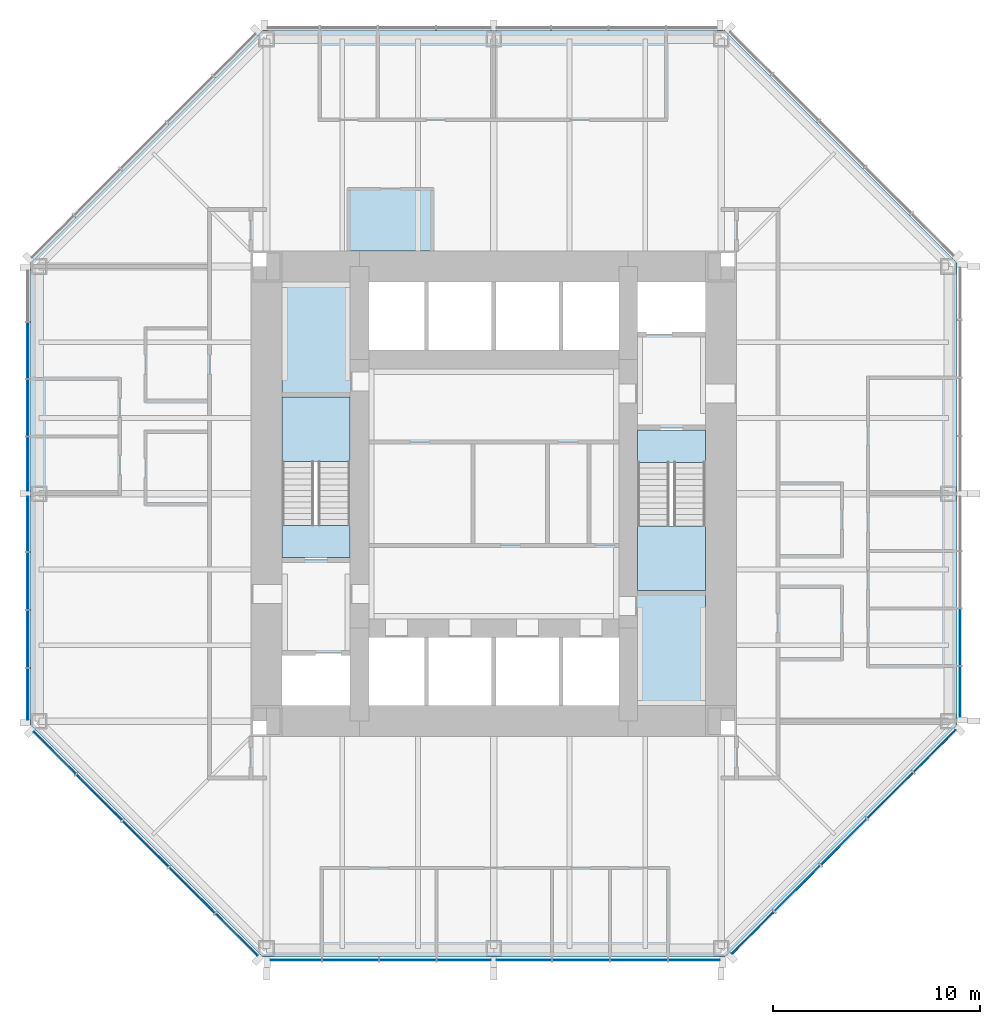
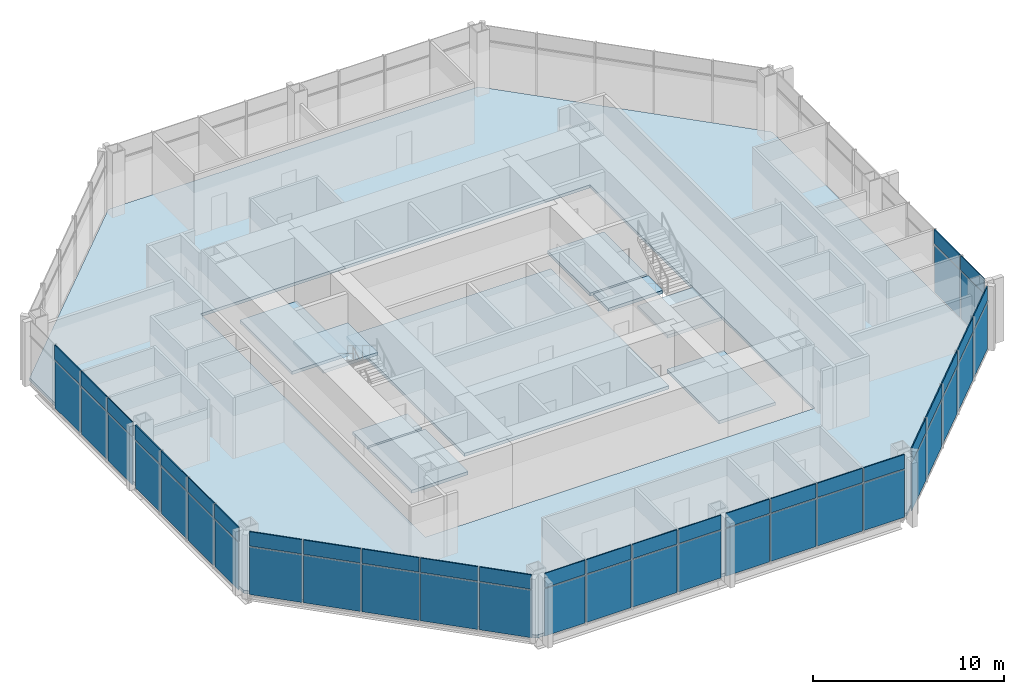
# One storey, part 7 of 12: 54 plates, 10 slabs, 7 elements without a shape of their own.
"""IFC4 building model written with IfcOpenShell, lengths in metres."""

from ifc_helpers import new_model, si_unit, direction, frame, origin, origin_2d, place, context, subcontext, project, spatial, polyline, rectangle, outline, extrude, material, layer, layer_set, type_object, element, aggregate, save


model = new_model("IFC4")

# Units and contexts
model_context = context("Model", 3, precision=1e-05, world=origin(), true_north=direction((0.0, 1.0)))
body_context = subcontext(model_context, "Body", "Model", "MODEL_VIEW")
ifc_project = project(units=[si_unit("LENGTHUNIT", "METRE"), si_unit("AREAUNIT", "SQUARE_METRE"), si_unit("VOLUMEUNIT", "CUBIC_METRE"), si_unit("PLANEANGLEUNIT", "RADIAN"), si_unit("MASSUNIT", "GRAM", prefix="KILO")], contexts=[model_context])

# Site, building, storey
site_placement = place(None, origin())
site = spatial("IfcSite", under=ifc_project, at=site_placement, CompositionType="ELEMENT")
building_placement = place(site_placement, origin())
building = spatial("IfcBuilding", under=site, at=building_placement, Name="Trevanion Tower", CompositionType="ELEMENT")
storey_placement = place(building_placement, frame((0.0, 0.0, 141.800048828125)))
storey = spatial("IfcBuildingStorey", under=building, at=storey_placement, Name="L33", CompositionType="ELEMENT", Elevation=141.800048828125)

# Curtain wall, plates
ifc_material_1 = material(Name="Aluminium and glass", Category="aluminium")
curtain_wall_type = type_object("IfcCurtainWallType", Name="CW2 curtain wall", PredefinedType="USERDEFINED", material=ifc_material_1)
curtain_wall_1_placement = place(storey_placement, origin())
curtain_wall_1 = element("IfcCurtainWall", 1, at=curtain_wall_1_placement, inside=storey, type_object=curtain_wall_type, Name="CW2 L33 0", ObjectType="UNITISED CURTAIN WALL", PredefinedType="USERDEFINED")
ifc_material_2 = material(Name="Aluminium spandrel panel", Category="aluminium")
ifc_layer_1 = layer(ifc_material_2, 0.06005859375)
ifc_layer_set_1 = layer_set([ifc_layer_1], Name="CW2 spandrel panel")
plate_type_1 = type_object("IfcPlateType", Name="CW2 spandrel panel", PredefinedType="CURTAIN_PANEL", material=ifc_layer_set_1)
plate_1_placement = place(storey_placement, frame((22.550048828125, -9.579345703125, 2.99755859375), z_axis=(0.0, 0.0, 1.0), x_axis=(0.0, 1.0, 0.0)))
plate_1 = element("IfcPlate", 2, at=plate_1_placement, type_object=plate_type_1, Name="CW2 panel 1.2", PredefinedType="CURTAIN_PANEL", context=body_context, shape_type="SweptSolid", body=[
    extrude(rectangle(XDim=2.43701171875, YDim=0.06005859375, at=origin_2d()), origin(), (0.0, 0.0, 1.0), 0.91259765625),
])
plate_2_placement = place(storey_placement, frame((22.550048828125, -6.93603515625, 2.99755859375), z_axis=(0.0, 0.0, 1.0), x_axis=(0.0, 1.0, 0.0)))
plate_2 = element("IfcPlate", 3, at=plate_2_placement, type_object=plate_type_1, Name="CW2 panel 2.2", PredefinedType="CURTAIN_PANEL", context=body_context, shape_type="SweptSolid", body=[
    extrude(rectangle(XDim=2.699462890625, YDim=0.06005859375, at=origin_2d()), origin(), (0.0, 0.0, 1.0), 0.91259765625),
])

curtain_wall_2_placement = place(storey_placement, origin())
curtain_wall_2 = element("IfcCurtainWall", 4, at=curtain_wall_2_placement, inside=storey, type_object=curtain_wall_type, Name="CW2 L33 4", ObjectType="UNITISED CURTAIN WALL", PredefinedType="USERDEFINED")
plate_3_placement = place(storey_placement, frame((-22.550048828125, 6.93603515625, 2.99755859375), z_axis=(0.0, 0.0, 1.0), x_axis=(0.0, -1.0, 0.0)))
plate_3 = element("IfcPlate", 5, at=plate_3_placement, type_object=plate_type_1, Name="CW2 panel 2.2", PredefinedType="CURTAIN_PANEL", context=body_context, shape_type="SweptSolid", body=[
    extrude(rectangle(XDim=2.699462890625, YDim=0.06005859375, at=origin_2d()), origin(), (0.0, 0.0, 1.0), 0.91259765625),
])
plate_4_placement = place(storey_placement, frame((-22.550048828125, 4.16162109375, 2.99755859375), z_axis=(0.0, 0.0, 1.0), x_axis=(0.0, -1.0, 0.0)))
plate_4 = element("IfcPlate", 6, at=plate_4_placement, type_object=plate_type_1, Name="CW2 panel 3.2", PredefinedType="CURTAIN_PANEL", context=body_context, shape_type="SweptSolid", body=[
    extrude(rectangle(XDim=2.699462890625, YDim=0.06005859375, at=origin_2d()), origin(), (0.0, 0.0, 1.0), 0.91259765625),
])
plate_5_placement = place(storey_placement, frame((-22.550048828125, 1.443603515625, 2.99755859375), z_axis=(0.0, 0.0, 1.0), x_axis=(0.0, -1.0, 0.0)))
plate_5 = element("IfcPlate", 7, at=plate_5_placement, type_object=plate_type_1, Name="CW2 panel 4.2", PredefinedType="CURTAIN_PANEL", context=body_context, shape_type="SweptSolid", body=[
    extrude(rectangle(XDim=2.5869140625, YDim=0.06005859375, at=origin_2d()), origin(), (0.0, 0.0, 1.0), 0.91259765625),
])
plate_6_placement = place(storey_placement, frame((-22.550048828125, -1.459716796875, 2.99755859375), z_axis=(0.0, 0.0, 1.0), x_axis=(0.0, -1.0, 0.0)))
plate_6 = element("IfcPlate", 8, at=plate_6_placement, type_object=plate_type_1, Name="CW2 panel 5.2", PredefinedType="CURTAIN_PANEL", context=body_context, shape_type="SweptSolid", body=[
    extrude(rectangle(XDim=2.619384765625, YDim=0.06005859375, at=origin_2d()), origin(), (0.0, 0.0, 1.0), 0.91259765625),
])
plate_7_placement = place(storey_placement, frame((-22.550048828125, -4.21044921875, 2.99755859375), z_axis=(0.0, 0.0, 1.0), x_axis=(0.0, -1.0, 0.0)))
plate_7 = element("IfcPlate", 9, at=plate_7_placement, type_object=plate_type_1, Name="CW2 panel 6.2", PredefinedType="CURTAIN_PANEL", context=body_context, shape_type="SweptSolid", body=[
    extrude(rectangle(XDim=2.73193359375, YDim=0.06005859375, at=origin_2d()), origin(), (0.0, 0.0, 1.0), 0.91259765625),
])
plate_8_placement = place(storey_placement, frame((-22.550048828125, -7.017333984375, 2.99755859375), z_axis=(0.0, 0.0, 1.0), x_axis=(0.0, -1.0, 0.0)))
plate_8 = element("IfcPlate", 10, at=plate_8_placement, type_object=plate_type_1, Name="CW2 panel 7.2", PredefinedType="CURTAIN_PANEL", context=body_context, shape_type="SweptSolid", body=[
    extrude(rectangle(XDim=2.73193359375, YDim=0.06005859375, at=origin_2d()), origin(), (0.0, 0.0, 1.0), 0.91259765625),
])
plate_9_placement = place(storey_placement, frame((-22.550048828125, -9.693115234375, 2.99755859375), z_axis=(0.0, 0.0, 1.0), x_axis=(0.0, -1.0, 0.0)))
plate_9 = element("IfcPlate", 11, at=plate_9_placement, type_object=plate_type_1, Name="CW2 panel 8.2", PredefinedType="CURTAIN_PANEL", context=body_context, shape_type="SweptSolid", body=[
    extrude(rectangle(XDim=2.469482421875, YDim=0.06005859375, at=origin_2d()), origin(), (0.0, 0.0, 1.0), 0.91259765625),
])

curtain_wall_3_placement = place(storey_placement, origin())
curtain_wall_3 = element("IfcCurtainWall", 12, at=curtain_wall_3_placement, inside=storey, type_object=curtain_wall_type, Name="CW2 L33 5", ObjectType="UNITISED CURTAIN WALL", PredefinedType="USERDEFINED")
plate_10_placement = place(storey_placement, frame((-21.2421875, -12.53564453125, 2.99755859375), z_axis=(0.0, 0.0, 1.0), x_axis=(0.707106781187, -0.707106781187, 0.0)))
plate_10 = element("IfcPlate", 13, at=plate_10_placement, type_object=plate_type_1, Name="CW2 panel 1.2", PredefinedType="CURTAIN_PANEL", context=body_context, shape_type="SweptSolid", body=[
    extrude(rectangle(XDim=2.8388671875, YDim=0.06005859375, at=origin_2d()), origin(), (0.0, 0.0, 1.0), 0.91259765625),
])
plate_11_placement = place(storey_placement, frame((-19.089111328125, -14.688720703125, 2.99755859375), z_axis=(0.0, 0.0, 1.0), x_axis=(0.707106781187, -0.707106781187, 0.0)))
plate_11 = element("IfcPlate", 14, at=plate_11_placement, type_object=plate_type_1, Name="CW2 panel 2.2", PredefinedType="CURTAIN_PANEL", context=body_context, shape_type="SweptSolid", body=[
    extrude(rectangle(XDim=3.101318359375, YDim=0.06005859375, at=origin_2d()), origin(), (0.0, 0.0, 1.0), 0.91259765625),
])
plate_12_placement = place(storey_placement, frame((-16.843017578125, -16.934814453125, 2.99755859375), z_axis=(0.0, 0.0, 1.0), x_axis=(0.707106781187, -0.707106781187, 0.0)))
plate_12 = element("IfcPlate", 15, at=plate_12_placement, type_object=plate_type_1, Name="CW2 panel 3.2", PredefinedType="CURTAIN_PANEL", context=body_context, shape_type="SweptSolid", body=[
    extrude(rectangle(XDim=3.101318359375, YDim=0.06005859375, at=origin_2d()), origin(), (0.0, 0.0, 1.0), 0.91259765625),
])
plate_13_placement = place(storey_placement, frame((-14.596923828125, -19.180908203125, 2.99755859375), z_axis=(0.0, 0.0, 1.0), x_axis=(0.707106781187, -0.707106781187, 0.0)))
plate_13 = element("IfcPlate", 16, at=plate_13_placement, type_object=plate_type_1, Name="CW2 panel 4.2", PredefinedType="CURTAIN_PANEL", context=body_context, shape_type="SweptSolid", body=[
    extrude(rectangle(XDim=3.101318359375, YDim=0.06005859375, at=origin_2d()), origin(), (0.0, 0.0, 1.0), 0.91259765625),
])
plate_14_placement = place(storey_placement, frame((-12.443603515625, -21.334228515625, 2.99755859375), z_axis=(0.0, 0.0, 1.0), x_axis=(0.707106781187, -0.707106781187, 0.0)))
plate_14 = element("IfcPlate", 17, at=plate_14_placement, type_object=plate_type_1, Name="CW2 panel 5.2", PredefinedType="CURTAIN_PANEL", context=body_context, shape_type="SweptSolid", body=[
    extrude(rectangle(XDim=2.8388671875, YDim=0.06005859375, at=origin_2d()), origin(), (0.0, 0.0, 1.0), 0.91259765625),
])

curtain_wall_4_placement = place(storey_placement, origin())
curtain_wall_4 = element("IfcCurtainWall", 18, at=curtain_wall_4_placement, inside=storey, type_object=curtain_wall_type, Name="CW2 L33 6", ObjectType="UNITISED CURTAIN WALL", PredefinedType="USERDEFINED")
plate_15_placement = place(storey_placement, frame((-9.579345703125, -22.550048828125, 2.99755859375), z_axis=(0.0, 0.0, 1.0), x_axis=(1.0, 0.0, 0.0)))
plate_15 = element("IfcPlate", 19, at=plate_15_placement, type_object=plate_type_1, Name="CW2 panel 1.2", PredefinedType="CURTAIN_PANEL", context=body_context, shape_type="SweptSolid", body=[
    extrude(rectangle(XDim=2.43701171875, YDim=0.06005859375, at=origin_2d()), origin(), (0.0, 0.0, 1.0), 0.91259765625),
])
plate_16_placement = place(storey_placement, frame((-6.93603515625, -22.550048828125, 2.99755859375), z_axis=(0.0, 0.0, 1.0), x_axis=(1.0, 0.0, 0.0)))
plate_16 = element("IfcPlate", 20, at=plate_16_placement, type_object=plate_type_1, Name="CW2 panel 2.2", PredefinedType="CURTAIN_PANEL", context=body_context, shape_type="SweptSolid", body=[
    extrude(rectangle(XDim=2.699462890625, YDim=0.06005859375, at=origin_2d()), origin(), (0.0, 0.0, 1.0), 0.91259765625),
])
plate_17_placement = place(storey_placement, frame((-4.16162109375, -22.550048828125, 2.99755859375), z_axis=(0.0, 0.0, 1.0), x_axis=(1.0, 0.0, 0.0)))
plate_17 = element("IfcPlate", 21, at=plate_17_placement, type_object=plate_type_1, Name="CW2 panel 3.2", PredefinedType="CURTAIN_PANEL", context=body_context, shape_type="SweptSolid", body=[
    extrude(rectangle(XDim=2.699462890625, YDim=0.06005859375, at=origin_2d()), origin(), (0.0, 0.0, 1.0), 0.91259765625),
])
plate_18_placement = place(storey_placement, frame((-1.443603515625, -22.550048828125, 2.99755859375), z_axis=(0.0, 0.0, 1.0), x_axis=(1.0, 0.0, 0.0)))
plate_18 = element("IfcPlate", 22, at=plate_18_placement, type_object=plate_type_1, Name="CW2 panel 4.2", PredefinedType="CURTAIN_PANEL", context=body_context, shape_type="SweptSolid", body=[
    extrude(rectangle(XDim=2.5869140625, YDim=0.06005859375, at=origin_2d()), origin(), (0.0, 0.0, 1.0), 0.91259765625),
])
plate_19_placement = place(storey_placement, frame((1.459716796875, -22.550048828125, 2.99755859375), z_axis=(0.0, 0.0, 1.0), x_axis=(1.0, 0.0, 0.0)))
plate_19 = element("IfcPlate", 23, at=plate_19_placement, type_object=plate_type_1, Name="CW2 panel 5.2", PredefinedType="CURTAIN_PANEL", context=body_context, shape_type="SweptSolid", body=[
    extrude(rectangle(XDim=2.619384765625, YDim=0.06005859375, at=origin_2d()), origin(), (0.0, 0.0, 1.0), 0.91259765625),
])
plate_20_placement = place(storey_placement, frame((4.21044921875, -22.550048828125, 2.99755859375), z_axis=(0.0, 0.0, 1.0), x_axis=(1.0, 0.0, 0.0)))
plate_20 = element("IfcPlate", 24, at=plate_20_placement, type_object=plate_type_1, Name="CW2 panel 6.2", PredefinedType="CURTAIN_PANEL", context=body_context, shape_type="SweptSolid", body=[
    extrude(rectangle(XDim=2.73193359375, YDim=0.06005859375, at=origin_2d()), origin(), (0.0, 0.0, 1.0), 0.91259765625),
])
plate_21_placement = place(storey_placement, frame((7.017333984375, -22.550048828125, 2.99755859375), z_axis=(0.0, 0.0, 1.0), x_axis=(1.0, 0.0, 0.0)))
plate_21 = element("IfcPlate", 25, at=plate_21_placement, type_object=plate_type_1, Name="CW2 panel 7.2", PredefinedType="CURTAIN_PANEL", context=body_context, shape_type="SweptSolid", body=[
    extrude(rectangle(XDim=2.73193359375, YDim=0.06005859375, at=origin_2d()), origin(), (0.0, 0.0, 1.0), 0.91259765625),
])
plate_22_placement = place(storey_placement, frame((9.693115234375, -22.550048828125, 2.99755859375), z_axis=(0.0, 0.0, 1.0), x_axis=(1.0, 0.0, 0.0)))
plate_22 = element("IfcPlate", 26, at=plate_22_placement, type_object=plate_type_1, Name="CW2 panel 8.2", PredefinedType="CURTAIN_PANEL", context=body_context, shape_type="SweptSolid", body=[
    extrude(rectangle(XDim=2.469482421875, YDim=0.06005859375, at=origin_2d()), origin(), (0.0, 0.0, 1.0), 0.91259765625),
])

curtain_wall_5_placement = place(storey_placement, origin())
curtain_wall_5 = element("IfcCurtainWall", 27, at=curtain_wall_5_placement, inside=storey, type_object=curtain_wall_type, Name="CW2 L33 7", ObjectType="UNITISED CURTAIN WALL", PredefinedType="USERDEFINED")
plate_23_placement = place(storey_placement, frame((12.53564453125, -21.2421875, 2.99755859375), z_axis=(0.0, 0.0, 1.0), x_axis=(0.707106781187, 0.707106781187, 0.0)))
plate_23 = element("IfcPlate", 28, at=plate_23_placement, type_object=plate_type_1, Name="CW2 panel 1.2", PredefinedType="CURTAIN_PANEL", context=body_context, shape_type="SweptSolid", body=[
    extrude(rectangle(XDim=2.8388671875, YDim=0.06005859375, at=origin_2d()), origin(), (0.0, 0.0, 1.0), 0.91259765625),
])
plate_24_placement = place(storey_placement, frame((14.688720703125, -19.089111328125, 2.99755859375), z_axis=(0.0, 0.0, 1.0), x_axis=(0.707106781187, 0.707106781187, 0.0)))
plate_24 = element("IfcPlate", 29, at=plate_24_placement, type_object=plate_type_1, Name="CW2 panel 2.2", PredefinedType="CURTAIN_PANEL", context=body_context, shape_type="SweptSolid", body=[
    extrude(rectangle(XDim=3.101318359375, YDim=0.06005859375, at=origin_2d()), origin(), (0.0, 0.0, 1.0), 0.91259765625),
])
plate_25_placement = place(storey_placement, frame((16.934814453125, -16.843017578125, 2.99755859375), z_axis=(0.0, 0.0, 1.0), x_axis=(0.707106781187, 0.707106781187, 0.0)))
plate_25 = element("IfcPlate", 30, at=plate_25_placement, type_object=plate_type_1, Name="CW2 panel 3.2", PredefinedType="CURTAIN_PANEL", context=body_context, shape_type="SweptSolid", body=[
    extrude(rectangle(XDim=3.101318359375, YDim=0.06005859375, at=origin_2d()), origin(), (0.0, 0.0, 1.0), 0.91259765625),
])
plate_26_placement = place(storey_placement, frame((19.180908203125, -14.596923828125, 2.99755859375), z_axis=(0.0, 0.0, 1.0), x_axis=(0.707106781187, 0.707106781187, 0.0)))
plate_26 = element("IfcPlate", 31, at=plate_26_placement, type_object=plate_type_1, Name="CW2 panel 4.2", PredefinedType="CURTAIN_PANEL", context=body_context, shape_type="SweptSolid", body=[
    extrude(rectangle(XDim=3.101318359375, YDim=0.06005859375, at=origin_2d()), origin(), (0.0, 0.0, 1.0), 0.91259765625),
])
plate_27_placement = place(storey_placement, frame((21.334228515625, -12.443603515625, 2.99755859375), z_axis=(0.0, 0.0, 1.0), x_axis=(0.707106781187, 0.707106781187, 0.0)))
plate_27 = element("IfcPlate", 32, at=plate_27_placement, type_object=plate_type_1, Name="CW2 panel 5.2", PredefinedType="CURTAIN_PANEL", context=body_context, shape_type="SweptSolid", body=[
    extrude(rectangle(XDim=2.8388671875, YDim=0.06005859375, at=origin_2d()), origin(), (0.0, 0.0, 1.0), 0.91259765625),
])

# Plate
ifc_material_3 = material(Name="Insulating glass unit", Category="glass")
ifc_layer_2 = layer(ifc_material_3, 0.028076171875)
ifc_layer_set_2 = layer_set([ifc_layer_2], Name="CW2 vision panel")
plate_type_2 = type_object("IfcPlateType", Name="CW2 vision panel", PredefinedType="CURTAIN_PANEL", material=ifc_layer_set_2)
plate_28_placement = place(storey_placement, frame((22.550048828125, -9.579345703125, -0.114990234375), z_axis=(0.0, 0.0, 1.0), x_axis=(0.0, 1.0, 0.0)))
plate_28 = element("IfcPlate", 33, at=plate_28_placement, type_object=plate_type_2, Name="CW2 panel 1.1", PredefinedType="CURTAIN_PANEL", context=body_context, shape_type="SweptSolid", body=[
    extrude(rectangle(XDim=2.43701171875, YDim=0.028076171875, at=origin_2d()), origin(), (0.0, 0.0, 1.0), 3.03759765625),
])

plate_29_placement = place(storey_placement, frame((22.550048828125, -6.93603515625, -0.114990234375), z_axis=(0.0, 0.0, 1.0), x_axis=(0.0, 1.0, 0.0)))
plate_29 = element("IfcPlate", 34, at=plate_29_placement, type_object=plate_type_2, Name="CW2 panel 2.1", PredefinedType="CURTAIN_PANEL", context=body_context, shape_type="SweptSolid", body=[
    extrude(rectangle(XDim=2.699462890625, YDim=0.028076171875, at=origin_2d()), origin(), (0.0, 0.0, 1.0), 3.03759765625),
])

aggregate(curtain_wall_1, [plate_28, plate_1, plate_29, plate_2])

plate_30_placement = place(storey_placement, frame((-22.550048828125, 6.93603515625, -0.114990234375), z_axis=(0.0, 0.0, 1.0), x_axis=(0.0, -1.0, 0.0)))
plate_30 = element("IfcPlate", 35, at=plate_30_placement, type_object=plate_type_2, Name="CW2 panel 2.1", PredefinedType="CURTAIN_PANEL", context=body_context, shape_type="SweptSolid", body=[
    extrude(rectangle(XDim=2.699462890625, YDim=0.028076171875, at=origin_2d()), origin(), (0.0, 0.0, 1.0), 3.03759765625),
])

plate_31_placement = place(storey_placement, frame((-22.550048828125, 4.16162109375, -0.114990234375), z_axis=(0.0, 0.0, 1.0), x_axis=(0.0, -1.0, 0.0)))
plate_31 = element("IfcPlate", 36, at=plate_31_placement, type_object=plate_type_2, Name="CW2 panel 3.1", PredefinedType="CURTAIN_PANEL", context=body_context, shape_type="SweptSolid", body=[
    extrude(rectangle(XDim=2.699462890625, YDim=0.028076171875, at=origin_2d()), origin(), (0.0, 0.0, 1.0), 3.03759765625),
])

plate_32_placement = place(storey_placement, frame((-22.550048828125, 1.443603515625, -0.114990234375), z_axis=(0.0, 0.0, 1.0), x_axis=(0.0, -1.0, 0.0)))
plate_32 = element("IfcPlate", 37, at=plate_32_placement, type_object=plate_type_2, Name="CW2 panel 4.1", PredefinedType="CURTAIN_PANEL", context=body_context, shape_type="SweptSolid", body=[
    extrude(rectangle(XDim=2.5869140625, YDim=0.028076171875, at=origin_2d()), origin(), (0.0, 0.0, 1.0), 3.03759765625),
])

plate_33_placement = place(storey_placement, frame((-22.550048828125, -1.459716796875, -0.114990234375), z_axis=(0.0, 0.0, 1.0), x_axis=(0.0, -1.0, 0.0)))
plate_33 = element("IfcPlate", 38, at=plate_33_placement, type_object=plate_type_2, Name="CW2 panel 5.1", PredefinedType="CURTAIN_PANEL", context=body_context, shape_type="SweptSolid", body=[
    extrude(rectangle(XDim=2.619384765625, YDim=0.028076171875, at=origin_2d()), origin(), (0.0, 0.0, 1.0), 3.03759765625),
])

plate_34_placement = place(storey_placement, frame((-22.550048828125, -4.21044921875, -0.114990234375), z_axis=(0.0, 0.0, 1.0), x_axis=(0.0, -1.0, 0.0)))
plate_34 = element("IfcPlate", 39, at=plate_34_placement, type_object=plate_type_2, Name="CW2 panel 6.1", PredefinedType="CURTAIN_PANEL", context=body_context, shape_type="SweptSolid", body=[
    extrude(rectangle(XDim=2.73193359375, YDim=0.028076171875, at=origin_2d()), origin(), (0.0, 0.0, 1.0), 3.03759765625),
])

plate_35_placement = place(storey_placement, frame((-22.550048828125, -7.017333984375, -0.114990234375), z_axis=(0.0, 0.0, 1.0), x_axis=(0.0, -1.0, 0.0)))
plate_35 = element("IfcPlate", 40, at=plate_35_placement, type_object=plate_type_2, Name="CW2 panel 7.1", PredefinedType="CURTAIN_PANEL", context=body_context, shape_type="SweptSolid", body=[
    extrude(rectangle(XDim=2.73193359375, YDim=0.028076171875, at=origin_2d()), origin(), (0.0, 0.0, 1.0), 3.03759765625),
])

plate_36_placement = place(storey_placement, frame((-22.550048828125, -9.693115234375, -0.114990234375), z_axis=(0.0, 0.0, 1.0), x_axis=(0.0, -1.0, 0.0)))
plate_36 = element("IfcPlate", 41, at=plate_36_placement, type_object=plate_type_2, Name="CW2 panel 8.1", PredefinedType="CURTAIN_PANEL", context=body_context, shape_type="SweptSolid", body=[
    extrude(rectangle(XDim=2.469482421875, YDim=0.028076171875, at=origin_2d()), origin(), (0.0, 0.0, 1.0), 3.03759765625),
])

aggregate(curtain_wall_2, [plate_30, plate_3, plate_31, plate_4, plate_32, plate_5, plate_33, plate_6, plate_34, plate_7, plate_35, plate_8, plate_36, plate_9])

plate_37_placement = place(storey_placement, frame((-21.2421875, -12.53564453125, -0.114990234375), z_axis=(0.0, 0.0, 1.0), x_axis=(0.707106781187, -0.707106781187, 0.0)))
plate_37 = element("IfcPlate", 42, at=plate_37_placement, type_object=plate_type_2, Name="CW2 panel 1.1", PredefinedType="CURTAIN_PANEL", context=body_context, shape_type="SweptSolid", body=[
    extrude(rectangle(XDim=2.8388671875, YDim=0.028076171875, at=origin_2d()), origin(), (0.0, 0.0, 1.0), 3.03759765625),
])

plate_38_placement = place(storey_placement, frame((-19.089111328125, -14.688720703125, -0.114990234375), z_axis=(0.0, 0.0, 1.0), x_axis=(0.707106781187, -0.707106781187, 0.0)))
plate_38 = element("IfcPlate", 43, at=plate_38_placement, type_object=plate_type_2, Name="CW2 panel 2.1", PredefinedType="CURTAIN_PANEL", context=body_context, shape_type="SweptSolid", body=[
    extrude(rectangle(XDim=3.101318359375, YDim=0.028076171875, at=origin_2d()), origin(), (0.0, 0.0, 1.0), 3.03759765625),
])

plate_39_placement = place(storey_placement, frame((-16.843017578125, -16.934814453125, -0.114990234375), z_axis=(0.0, 0.0, 1.0), x_axis=(0.707106781187, -0.707106781187, 0.0)))
plate_39 = element("IfcPlate", 44, at=plate_39_placement, type_object=plate_type_2, Name="CW2 panel 3.1", PredefinedType="CURTAIN_PANEL", context=body_context, shape_type="SweptSolid", body=[
    extrude(rectangle(XDim=3.101318359375, YDim=0.028076171875, at=origin_2d()), origin(), (0.0, 0.0, 1.0), 3.03759765625),
])

plate_40_placement = place(storey_placement, frame((-14.596923828125, -19.180908203125, -0.114990234375), z_axis=(0.0, 0.0, 1.0), x_axis=(0.707106781187, -0.707106781187, 0.0)))
plate_40 = element("IfcPlate", 45, at=plate_40_placement, type_object=plate_type_2, Name="CW2 panel 4.1", PredefinedType="CURTAIN_PANEL", context=body_context, shape_type="SweptSolid", body=[
    extrude(rectangle(XDim=3.101318359375, YDim=0.028076171875, at=origin_2d()), origin(), (0.0, 0.0, 1.0), 3.03759765625),
])

plate_41_placement = place(storey_placement, frame((-12.443603515625, -21.334228515625, -0.114990234375), z_axis=(0.0, 0.0, 1.0), x_axis=(0.707106781187, -0.707106781187, 0.0)))
plate_41 = element("IfcPlate", 46, at=plate_41_placement, type_object=plate_type_2, Name="CW2 panel 5.1", PredefinedType="CURTAIN_PANEL", context=body_context, shape_type="SweptSolid", body=[
    extrude(rectangle(XDim=2.8388671875, YDim=0.028076171875, at=origin_2d()), origin(), (0.0, 0.0, 1.0), 3.03759765625),
])

aggregate(curtain_wall_3, [plate_37, plate_10, plate_38, plate_11, plate_39, plate_12, plate_40, plate_13, plate_41, plate_14])

plate_42_placement = place(storey_placement, frame((-9.579345703125, -22.550048828125, -0.114990234375), z_axis=(0.0, 0.0, 1.0), x_axis=(1.0, 0.0, 0.0)))
plate_42 = element("IfcPlate", 47, at=plate_42_placement, type_object=plate_type_2, Name="CW2 panel 1.1", PredefinedType="CURTAIN_PANEL", context=body_context, shape_type="SweptSolid", body=[
    extrude(rectangle(XDim=2.43701171875, YDim=0.028076171875, at=origin_2d()), origin(), (0.0, 0.0, 1.0), 3.03759765625),
])

plate_43_placement = place(storey_placement, frame((-6.93603515625, -22.550048828125, -0.114990234375), z_axis=(0.0, 0.0, 1.0), x_axis=(1.0, 0.0, 0.0)))
plate_43 = element("IfcPlate", 48, at=plate_43_placement, type_object=plate_type_2, Name="CW2 panel 2.1", PredefinedType="CURTAIN_PANEL", context=body_context, shape_type="SweptSolid", body=[
    extrude(rectangle(XDim=2.699462890625, YDim=0.028076171875, at=origin_2d()), origin(), (0.0, 0.0, 1.0), 3.03759765625),
])

plate_44_placement = place(storey_placement, frame((-4.16162109375, -22.550048828125, -0.114990234375), z_axis=(0.0, 0.0, 1.0), x_axis=(1.0, 0.0, 0.0)))
plate_44 = element("IfcPlate", 49, at=plate_44_placement, type_object=plate_type_2, Name="CW2 panel 3.1", PredefinedType="CURTAIN_PANEL", context=body_context, shape_type="SweptSolid", body=[
    extrude(rectangle(XDim=2.699462890625, YDim=0.028076171875, at=origin_2d()), origin(), (0.0, 0.0, 1.0), 3.03759765625),
])

plate_45_placement = place(storey_placement, frame((-1.443603515625, -22.550048828125, -0.114990234375), z_axis=(0.0, 0.0, 1.0), x_axis=(1.0, 0.0, 0.0)))
plate_45 = element("IfcPlate", 50, at=plate_45_placement, type_object=plate_type_2, Name="CW2 panel 4.1", PredefinedType="CURTAIN_PANEL", context=body_context, shape_type="SweptSolid", body=[
    extrude(rectangle(XDim=2.5869140625, YDim=0.028076171875, at=origin_2d()), origin(), (0.0, 0.0, 1.0), 3.03759765625),
])

plate_46_placement = place(storey_placement, frame((1.459716796875, -22.550048828125, -0.114990234375), z_axis=(0.0, 0.0, 1.0), x_axis=(1.0, 0.0, 0.0)))
plate_46 = element("IfcPlate", 51, at=plate_46_placement, type_object=plate_type_2, Name="CW2 panel 5.1", PredefinedType="CURTAIN_PANEL", context=body_context, shape_type="SweptSolid", body=[
    extrude(rectangle(XDim=2.619384765625, YDim=0.028076171875, at=origin_2d()), origin(), (0.0, 0.0, 1.0), 3.03759765625),
])

plate_47_placement = place(storey_placement, frame((4.21044921875, -22.550048828125, -0.114990234375), z_axis=(0.0, 0.0, 1.0), x_axis=(1.0, 0.0, 0.0)))
plate_47 = element("IfcPlate", 52, at=plate_47_placement, type_object=plate_type_2, Name="CW2 panel 6.1", PredefinedType="CURTAIN_PANEL", context=body_context, shape_type="SweptSolid", body=[
    extrude(rectangle(XDim=2.73193359375, YDim=0.028076171875, at=origin_2d()), origin(), (0.0, 0.0, 1.0), 3.03759765625),
])

plate_48_placement = place(storey_placement, frame((7.017333984375, -22.550048828125, -0.114990234375), z_axis=(0.0, 0.0, 1.0), x_axis=(1.0, 0.0, 0.0)))
plate_48 = element("IfcPlate", 53, at=plate_48_placement, type_object=plate_type_2, Name="CW2 panel 7.1", PredefinedType="CURTAIN_PANEL", context=body_context, shape_type="SweptSolid", body=[
    extrude(rectangle(XDim=2.73193359375, YDim=0.028076171875, at=origin_2d()), origin(), (0.0, 0.0, 1.0), 3.03759765625),
])

plate_49_placement = place(storey_placement, frame((9.693115234375, -22.550048828125, -0.114990234375), z_axis=(0.0, 0.0, 1.0), x_axis=(1.0, 0.0, 0.0)))
plate_49 = element("IfcPlate", 54, at=plate_49_placement, type_object=plate_type_2, Name="CW2 panel 8.1", PredefinedType="CURTAIN_PANEL", context=body_context, shape_type="SweptSolid", body=[
    extrude(rectangle(XDim=2.469482421875, YDim=0.028076171875, at=origin_2d()), origin(), (0.0, 0.0, 1.0), 3.03759765625),
])

aggregate(curtain_wall_4, [plate_42, plate_15, plate_43, plate_16, plate_44, plate_17, plate_45, plate_18, plate_46, plate_19, plate_47, plate_20, plate_48, plate_21, plate_49, plate_22])

plate_50_placement = place(storey_placement, frame((12.53564453125, -21.2421875, -0.114990234375), z_axis=(0.0, 0.0, 1.0), x_axis=(0.707106781187, 0.707106781187, 0.0)))
plate_50 = element("IfcPlate", 55, at=plate_50_placement, type_object=plate_type_2, Name="CW2 panel 1.1", PredefinedType="CURTAIN_PANEL", context=body_context, shape_type="SweptSolid", body=[
    extrude(rectangle(XDim=2.8388671875, YDim=0.028076171875, at=origin_2d()), origin(), (0.0, 0.0, 1.0), 3.03759765625),
])

plate_51_placement = place(storey_placement, frame((14.688720703125, -19.089111328125, -0.114990234375), z_axis=(0.0, 0.0, 1.0), x_axis=(0.707106781187, 0.707106781187, 0.0)))
plate_51 = element("IfcPlate", 56, at=plate_51_placement, type_object=plate_type_2, Name="CW2 panel 2.1", PredefinedType="CURTAIN_PANEL", context=body_context, shape_type="SweptSolid", body=[
    extrude(rectangle(XDim=3.101318359375, YDim=0.028076171875, at=origin_2d()), origin(), (0.0, 0.0, 1.0), 3.03759765625),
])

plate_52_placement = place(storey_placement, frame((16.934814453125, -16.843017578125, -0.114990234375), z_axis=(0.0, 0.0, 1.0), x_axis=(0.707106781187, 0.707106781187, 0.0)))
plate_52 = element("IfcPlate", 57, at=plate_52_placement, type_object=plate_type_2, Name="CW2 panel 3.1", PredefinedType="CURTAIN_PANEL", context=body_context, shape_type="SweptSolid", body=[
    extrude(rectangle(XDim=3.101318359375, YDim=0.028076171875, at=origin_2d()), origin(), (0.0, 0.0, 1.0), 3.03759765625),
])

plate_53_placement = place(storey_placement, frame((19.180908203125, -14.596923828125, -0.114990234375), z_axis=(0.0, 0.0, 1.0), x_axis=(0.707106781187, 0.707106781187, 0.0)))
plate_53 = element("IfcPlate", 58, at=plate_53_placement, type_object=plate_type_2, Name="CW2 panel 4.1", PredefinedType="CURTAIN_PANEL", context=body_context, shape_type="SweptSolid", body=[
    extrude(rectangle(XDim=3.101318359375, YDim=0.028076171875, at=origin_2d()), origin(), (0.0, 0.0, 1.0), 3.03759765625),
])

plate_54_placement = place(storey_placement, frame((21.334228515625, -12.443603515625, -0.114990234375), z_axis=(0.0, 0.0, 1.0), x_axis=(0.707106781187, 0.707106781187, 0.0)))
plate_54 = element("IfcPlate", 59, at=plate_54_placement, type_object=plate_type_2, Name="CW2 panel 5.1", PredefinedType="CURTAIN_PANEL", context=body_context, shape_type="SweptSolid", body=[
    extrude(rectangle(XDim=2.8388671875, YDim=0.028076171875, at=origin_2d()), origin(), (0.0, 0.0, 1.0), 3.03759765625),
])

aggregate(curtain_wall_5, [plate_50, plate_23, plate_51, plate_24, plate_52, plate_25, plate_53, plate_26, plate_54, plate_27])

# Slabs
ifc_material_4 = material(Name="Concrete 5,000 psi on composite metal deck", Category="concrete")
ifc_layer_3 = layer(ifc_material_4, 0.18994140625)
ifc_layer_set_3 = layer_set([ifc_layer_3], Name="SL1 composite floor 190")
slab_type_1 = type_object("IfcSlabType", Name="SL1 composite floor 190", PredefinedType="FLOOR", material=ifc_layer_set_3)
slab_1_placement = place(storey_placement, frame((0.0, 0.0, -0.18994140625)))
element("IfcSlab", 60, at=slab_1_placement, inside=storey, type_object=slab_type_1, Name="SL1 L33 floor", PredefinedType="FLOOR", context=body_context, shape_type="SweptSolid", body=[
    extrude(outline(polyline([(22.419921875, -11.174072265625), (22.419921875, 11.174072265625), (11.174072265625, 22.419921875), (-11.174072265625, 22.419921875), (-22.419921875, 11.174072265625), (-22.419921875, -11.174072265625), (-11.174072265625, -22.419921875), (11.174072265625, -22.419921875), (22.419921875, -11.174072265625)]), holes=[polyline([(11.75, -11.75), (11.75, 11.75), (-11.75, 11.75), (-11.75, -11.75), (11.75, -11.75)])]), origin(), (0.0, 0.0, 1.0), 0.18994140625),
])
ifc_material_5 = material(Name="Concrete 5,000 psi", Category="concrete")
ifc_layer_4 = layer(ifc_material_5, 0.199951171875)
ifc_layer_set_4 = layer_set([ifc_layer_4], Name="SL2 core floor 200")
slab_type_2 = type_object("IfcSlabType", Name="SL2 core floor 200", PredefinedType="FLOOR", material=ifc_layer_set_4)
slab_2_placement = place(storey_placement, frame((0.0, 0.0, -0.199951171875)))
element("IfcSlab", 61, at=slab_2_placement, inside=storey, type_object=slab_type_2, Name="SL2 L33 core floor 1", PredefinedType="FLOOR", context=body_context, shape_type="SweptSolid", body=[
    extrude(outline(polyline([(10.25, -4.804931640625), (10.25, -10.25), (6.830078125, -10.25), (6.830078125, -4.804931640625), (10.25, -4.804931640625)])), origin(), (0.0, 0.0, 1.0), 0.199951171875),
])
slab_3_placement = place(storey_placement, frame((0.0, 0.0, -0.199951171875)))
element("IfcSlab", 62, at=slab_3_placement, inside=storey, type_object=slab_type_2, Name="SL2 L33 core floor 2", PredefinedType="FLOOR", context=body_context, shape_type="SweptSolid", body=[
    extrude(outline(polyline([(-6.830078125, -3.205078125), (-6.830078125, -7.695068359375), (-10.25, -7.695068359375), (-10.25, -3.205078125), (-6.830078125, -3.205078125)])), origin(), (0.0, 0.0, 1.0), 0.199951171875),
])
slab_4_placement = place(storey_placement, frame((0.0, 0.0, -0.199951171875)))
element("IfcSlab", 63, at=slab_4_placement, inside=storey, type_object=slab_type_2, Name="SL2 L33 core floor 3", PredefinedType="FLOOR", context=body_context, shape_type="SweptSolid", body=[
    extrude(outline(polyline([(6.169921875, -6.169921875), (-6.169921875, -6.169921875), (-6.169921875, 6.169921875), (6.169921875, 6.169921875), (6.169921875, -6.169921875)])), origin(), (0.0, 0.0, 1.0), 0.199951171875),
])
slab_5_placement = place(storey_placement, frame((0.0, 0.0, -0.199951171875)))
element("IfcSlab", 64, at=slab_5_placement, inside=storey, type_object=slab_type_2, Name="SL2 L33 core floor 4", PredefinedType="FLOOR", context=body_context, shape_type="SweptSolid", body=[
    extrude(outline(polyline([(6.830078125, 3.205078125), (6.830078125, 7.695068359375), (10.25, 7.695068359375), (10.25, 3.205078125), (6.830078125, 3.205078125)])), origin(), (0.0, 0.0, 1.0), 0.199951171875),
])
slab_6_placement = place(storey_placement, frame((0.0, 0.0, -0.199951171875)))
element("IfcSlab", 65, at=slab_6_placement, inside=storey, type_object=slab_type_2, Name="SL2 L33 core floor 5", PredefinedType="FLOOR", context=body_context, shape_type="SweptSolid", body=[
    extrude(outline(polyline([(-6.830078125, 4.804931640625), (-10.25, 4.804931640625), (-10.25, 10.25), (-6.830078125, 10.25), (-6.830078125, 4.804931640625)])), origin(), (0.0, 0.0, 1.0), 0.199951171875),
])

# Stair, slabs
ifc_material_6 = material(Name="Concrete 5,000 psi on steel stringers", Category="concrete")
stair_type = type_object("IfcStairType", Name="ST stair", PredefinedType="HALF_TURN_STAIR", material=ifc_material_6)
stair_1_placement = place(storey_placement, origin())
stair_1 = element("IfcStair", 66, at=stair_1_placement, inside=storey, type_object=stair_type, Name="ST1 L33", PredefinedType="HALF_TURN_STAIR")
ifc_material_7 = material(Name="Concrete 5,000 psi in steel pan", Category="concrete")
ifc_layer_5 = layer(ifc_material_7, 0.199951171875)
ifc_layer_set_5 = layer_set([ifc_layer_5], Name="STL stair landing 200")
slab_type_3 = type_object("IfcSlabType", Name="STL stair landing 200", PredefinedType="LANDING", material=ifc_layer_set_5)
slab_7_placement = place(storey_placement, frame((0.0, 0.0, -0.199951171875)))
slab_7 = element("IfcSlab", 67, at=slab_7_placement, type_object=slab_type_3, Name="ST1 landing 1", PredefinedType="LANDING", context=body_context, shape_type="SweptSolid", body=[
    extrude(outline(polyline([(6.949951171875, 1.52490234375), (10.25, 1.52490234375), (10.25, 3.074951171875), (6.949951171875, 3.074951171875), (6.949951171875, 1.52490234375)])), origin(), (0.0, 0.0, 1.0), 0.199951171875),
])
slab_8_placement = place(storey_placement, frame((0.0, 0.0, 1.849853515625)))
slab_8 = element("IfcSlab", 68, at=slab_8_placement, type_object=slab_type_3, Name="ST1 landing 2", PredefinedType="LANDING", context=body_context, shape_type="SweptSolid", body=[
    extrude(outline(polyline([(6.949951171875, -4.675048828125), (10.25, -4.675048828125), (10.25, -1.554931640625), (6.949951171875, -1.554931640625), (6.949951171875, -4.675048828125)])), origin(), (0.0, 0.0, 1.0), 0.2001953125),
])
aggregate(stair_1, [slab_7, slab_8])

stair_2_placement = place(storey_placement, origin())
stair_2 = element("IfcStair", 69, at=stair_2_placement, inside=storey, type_object=stair_type, Name="ST2 L33", PredefinedType="HALF_TURN_STAIR")
slab_9_placement = place(storey_placement, frame((0.0, 0.0, -0.199951171875)))
slab_9 = element("IfcSlab", 70, at=slab_9_placement, type_object=slab_type_3, Name="ST2 landing 1", PredefinedType="LANDING", context=body_context, shape_type="SweptSolid", body=[
    extrude(outline(polyline([(-6.949951171875, -1.52490234375), (-10.25, -1.52490234375), (-10.25, -3.074951171875), (-6.949951171875, -3.074951171875), (-6.949951171875, -1.52490234375)])), origin(), (0.0, 0.0, 1.0), 0.199951171875),
])
slab_10_placement = place(storey_placement, frame((0.0, 0.0, 1.849853515625)))
slab_10 = element("IfcSlab", 71, at=slab_10_placement, type_object=slab_type_3, Name="ST2 landing 2", PredefinedType="LANDING", context=body_context, shape_type="SweptSolid", body=[
    extrude(outline(polyline([(-6.949951171875, 4.675048828125), (-10.25, 4.675048828125), (-10.25, 1.554931640625), (-6.949951171875, 1.554931640625), (-6.949951171875, 4.675048828125)])), origin(), (0.0, 0.0, 1.0), 0.2001953125),
])
aggregate(stair_2, [slab_9, slab_10])

save(model, "model.ifc")
